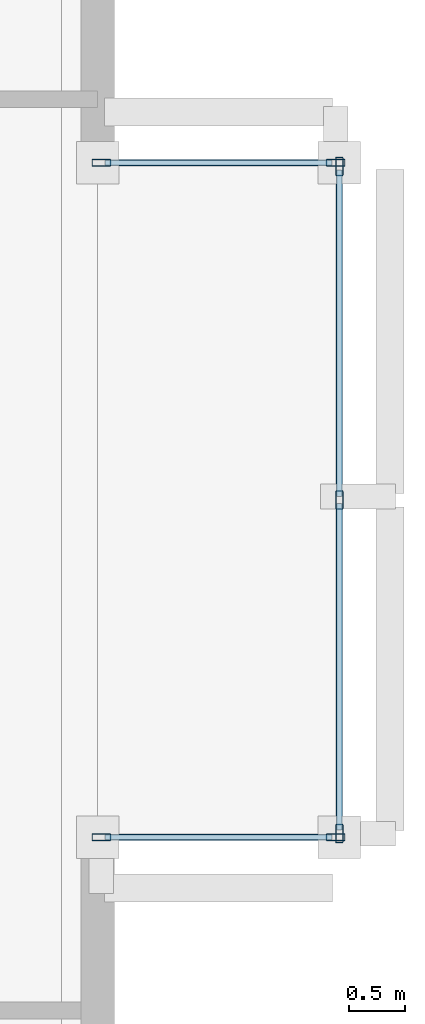
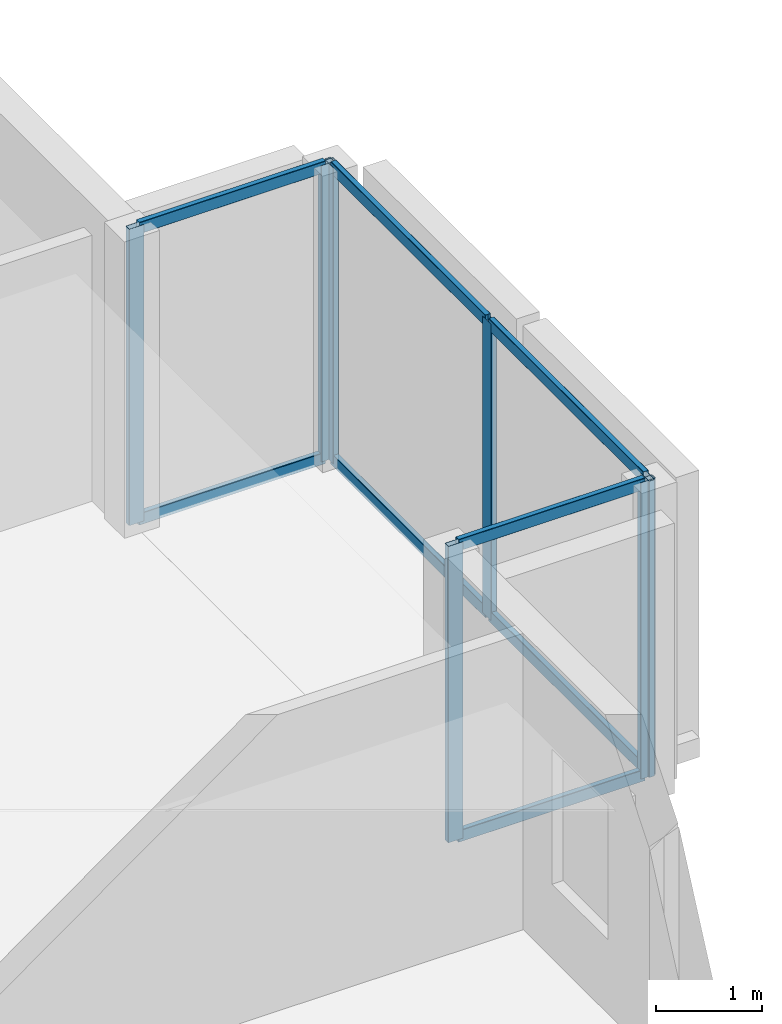
# One storey, part 4 of 13: 15 members, 3 elements without a shape of their own.
"""IFC4 building model written with IfcOpenShell, lengths in metres."""

from ifc_helpers import new_model, si_unit, direction, frame, origin, origin_2d, place, context, subcontext, project, spatial, hollow_rectangle, extrude, material, layer, layer_set, material_profile, profile_set, type_object, element, aggregate, save


model = new_model("IFC4")

# Units and contexts
model_context = context("Model", 3, precision=1e-05, world=origin(), true_north=direction((0.0, 1.0)))
body_context = subcontext(model_context, "Body", "Model", "MODEL_VIEW")
ifc_project = project(units=[si_unit("LENGTHUNIT", "METRE"), si_unit("AREAUNIT", "SQUARE_METRE"), si_unit("VOLUMEUNIT", "CUBIC_METRE"), si_unit("PLANEANGLEUNIT", "RADIAN"), si_unit("MASSUNIT", "GRAM", prefix="KILO")], contexts=[model_context])

# Site, building, storey
site_placement = place(None, origin())
site = spatial("IfcSite", under=ifc_project, at=site_placement, CompositionType="ELEMENT")
building_placement = place(site_placement, origin())
building = spatial("IfcBuilding", under=site, at=building_placement, Name="An Khanh Terracotta Commons", CompositionType="ELEMENT")
storey_placement = place(building_placement, frame((0.0, 0.0, 125.89990234375)))
storey = spatial("IfcBuildingStorey", under=building, at=storey_placement, Name="L33", CompositionType="ELEMENT", Elevation=125.89990234375)

# Curtain wall, members
ifc_material = material(Name="Anodised Aluminium 6063-T6", Category="aluminium")
ifc_layer = layer(ifc_material, 0.239990234375, Name="Anodised Aluminium 6063-T6")
ifc_layer_set = layer_set([ifc_layer], Name="Anodised Aluminium 6063-T6")
curtain_wall_type = type_object("IfcCurtainWallType", Name="CW-SYS-04", PredefinedType="USERDEFINED", material=ifc_layer_set)
curtain_wall_1_placement = place(storey_placement, origin())
curtain_wall_1 = element("IfcCurtainWall", 1, at=curtain_wall_1_placement, inside=storey, type_object=curtain_wall_type, Name="L33 CW-04 Unitised Curtain Wall CW-L33-EBOX-1", ObjectType="UNITISED CURTAIN WALL", PredefinedType="USERDEFINED")
ifc_material_profile_1 = material_profile(ifc_material, hollow_rectangle(XDim=0.06494140625, YDim=0.1650390625, WallThickness=0.00390625, InnerFilletRadius=0.00390625, OuterFilletRadius=0.008056640625, at=origin_2d()), Name="RHS165x65x4")
ifc_profile_set_1 = profile_set([ifc_material_profile_1], Name="Anodised Aluminium 6063-T6")
member_type_1 = type_object("IfcMemberType", Name="CWM-RHS165x65x4", PredefinedType="MULLION", material=ifc_profile_set_1)
member_1_placement = place(storey_placement, frame((59.550048828125, 19.4326171875, 0.0), z_axis=(0.0, 0.0, 1.0), x_axis=(-1.0, 0.0, 0.0)))
member_1 = element("IfcMember", 2, at=member_1_placement, type_object=member_type_1, Name="CW-04 mullion 1", PredefinedType="MULLION", context=body_context, shape_type="SweptSolid", body=[
    extrude(hollow_rectangle(XDim=0.06494140625, YDim=0.1650390625, WallThickness=0.00390625, InnerFilletRadius=0.00390625, OuterFilletRadius=0.008056640625, at=origin_2d()), origin(), (0.0, 0.0, 1.0), 3.400146484375),
])
member_2_placement = place(storey_placement, frame((59.550048828125, 22.39990234375, 0.0), z_axis=(0.0, 0.0, 1.0), x_axis=(-1.0, 0.0, 0.0)))
member_2 = element("IfcMember", 3, at=member_2_placement, type_object=member_type_1, Name="CW-04 mullion 2", PredefinedType="MULLION", context=body_context, shape_type="SweptSolid", body=[
    extrude(hollow_rectangle(XDim=0.06494140625, YDim=0.1650390625, WallThickness=0.00390625, InnerFilletRadius=0.00390625, OuterFilletRadius=0.008056640625, at=origin_2d()), origin(), (0.0, 0.0, 1.0), 3.400146484375),
])
member_3_placement = place(storey_placement, frame((59.550048828125, 25.367431640625, 0.0), z_axis=(0.0, 0.0, 1.0), x_axis=(-1.0, 0.0, 0.0)))
member_3 = element("IfcMember", 4, at=member_3_placement, type_object=member_type_1, Name="CW-04 mullion 3", PredefinedType="MULLION", context=body_context, shape_type="SweptSolid", body=[
    extrude(hollow_rectangle(XDim=0.06494140625, YDim=0.1650390625, WallThickness=0.00390625, InnerFilletRadius=0.00390625, OuterFilletRadius=0.008056640625, at=origin_2d()), origin(), (0.0, 0.0, 1.0), 3.400146484375),
])

curtain_wall_2_placement = place(storey_placement, origin())
curtain_wall_2 = element("IfcCurtainWall", 5, at=curtain_wall_2_placement, inside=storey, type_object=curtain_wall_type, Name="L33 CW-04 Unitised Curtain Wall CW-L33-EBOX-2", ObjectType="UNITISED CURTAIN WALL", PredefinedType="USERDEFINED")
member_4_placement = place(storey_placement, frame((57.4326171875, 19.39990234375, 0.0), z_axis=(0.0, 0.0, 1.0), x_axis=(0.0, 1.0, 0.0)))
member_4 = element("IfcMember", 6, at=member_4_placement, type_object=member_type_1, Name="CW-04 mullion 1", PredefinedType="MULLION", context=body_context, shape_type="SweptSolid", body=[
    extrude(hollow_rectangle(XDim=0.06494140625, YDim=0.1650390625, WallThickness=0.00390625, InnerFilletRadius=0.00390625, OuterFilletRadius=0.008056640625, at=origin_2d()), origin(), (0.0, 0.0, 1.0), 3.400146484375),
])
member_5_placement = place(storey_placement, frame((59.517578125, 19.39990234375, 0.0), z_axis=(0.0, 0.0, 1.0), x_axis=(0.0, 1.0, 0.0)))
member_5 = element("IfcMember", 7, at=member_5_placement, type_object=member_type_1, Name="CW-04 mullion 2", PredefinedType="MULLION", context=body_context, shape_type="SweptSolid", body=[
    extrude(hollow_rectangle(XDim=0.06494140625, YDim=0.1650390625, WallThickness=0.00390625, InnerFilletRadius=0.00390625, OuterFilletRadius=0.008056640625, at=origin_2d()), origin(), (0.0, 0.0, 1.0), 3.400146484375),
])

curtain_wall_3_placement = place(storey_placement, origin())
curtain_wall_3 = element("IfcCurtainWall", 8, at=curtain_wall_3_placement, inside=storey, type_object=curtain_wall_type, Name="L33 CW-04 Unitised Curtain Wall CW-L33-EBOX-3", ObjectType="UNITISED CURTAIN WALL", PredefinedType="USERDEFINED")
member_6_placement = place(storey_placement, frame((59.517578125, 25.39990234375, 0.0), z_axis=(0.0, 0.0, 1.0), x_axis=(0.0, -1.0, 0.0)))
member_6 = element("IfcMember", 9, at=member_6_placement, type_object=member_type_1, Name="CW-04 mullion 1", PredefinedType="MULLION", context=body_context, shape_type="SweptSolid", body=[
    extrude(hollow_rectangle(XDim=0.06494140625, YDim=0.1650390625, WallThickness=0.00390625, InnerFilletRadius=0.00390625, OuterFilletRadius=0.008056640625, at=origin_2d()), origin(), (0.0, 0.0, 1.0), 3.400146484375),
])
member_7_placement = place(storey_placement, frame((57.4326171875, 25.39990234375, 0.0), z_axis=(0.0, 0.0, 1.0), x_axis=(0.0, -1.0, 0.0)))
member_7 = element("IfcMember", 10, at=member_7_placement, type_object=member_type_1, Name="CW-04 mullion 2", PredefinedType="MULLION", context=body_context, shape_type="SweptSolid", body=[
    extrude(hollow_rectangle(XDim=0.06494140625, YDim=0.1650390625, WallThickness=0.00390625, InnerFilletRadius=0.00390625, OuterFilletRadius=0.008056640625, at=origin_2d()), origin(), (0.0, 0.0, 1.0), 3.400146484375),
])

# Member
ifc_material_profile_2 = material_profile(ifc_material, hollow_rectangle(XDim=0.06005859375, YDim=0.135009765625, WallThickness=0.003662109375, InnerFilletRadius=0.003662109375, OuterFilletRadius=0.007080078125, at=origin_2d()), Name="RHS135x60x3.6")
ifc_profile_set_2 = profile_set([ifc_material_profile_2], Name="Anodised Aluminium 6063-T6")
member_type_2 = type_object("IfcMemberType", Name="CWT-RHS135x60x3.6", PredefinedType="USERDEFINED", material=ifc_profile_set_2)
member_8_placement = place(storey_placement, frame((59.550048828125, 19.465087890625, 0.030029296875), z_axis=(0.0, 1.0, 0.0), x_axis=(-1.0, 0.0, 0.0)))
member_8 = element("IfcMember", 11, at=member_8_placement, type_object=member_type_2, Name="CW-04 transom 1.1", ObjectType="TRANSOM", PredefinedType="USERDEFINED", context=body_context, shape_type="SweptSolid", body=[
    extrude(hollow_rectangle(XDim=0.06005859375, YDim=0.135009765625, WallThickness=0.003662109375, InnerFilletRadius=0.003662109375, OuterFilletRadius=0.007080078125, at=origin_2d()), origin(), (0.0, 0.0, 1.0), 2.90234375),
])

member_9_placement = place(storey_placement, frame((59.550048828125, 19.465087890625, 3.3701171875), z_axis=(0.0, 1.0, 0.0), x_axis=(-1.0, 0.0, 0.0)))
member_9 = element("IfcMember", 12, at=member_9_placement, type_object=member_type_2, Name="CW-04 transom 1.2", ObjectType="TRANSOM", PredefinedType="USERDEFINED", context=body_context, shape_type="SweptSolid", body=[
    extrude(hollow_rectangle(XDim=0.06005859375, YDim=0.135009765625, WallThickness=0.003662109375, InnerFilletRadius=0.003662109375, OuterFilletRadius=0.007080078125, at=origin_2d()), origin(), (0.0, 0.0, 1.0), 2.90234375),
])

member_10_placement = place(storey_placement, frame((59.550048828125, 22.4326171875, 0.030029296875), z_axis=(0.0, 1.0, 0.0), x_axis=(-1.0, 0.0, 0.0)))
member_10 = element("IfcMember", 13, at=member_10_placement, type_object=member_type_2, Name="CW-04 transom 2.1", ObjectType="TRANSOM", PredefinedType="USERDEFINED", context=body_context, shape_type="SweptSolid", body=[
    extrude(hollow_rectangle(XDim=0.06005859375, YDim=0.135009765625, WallThickness=0.003662109375, InnerFilletRadius=0.003662109375, OuterFilletRadius=0.007080078125, at=origin_2d()), origin(), (0.0, 0.0, 1.0), 2.90234375),
])

member_11_placement = place(storey_placement, frame((59.550048828125, 22.4326171875, 3.3701171875), z_axis=(0.0, 1.0, 0.0), x_axis=(-1.0, 0.0, 0.0)))
member_11 = element("IfcMember", 14, at=member_11_placement, type_object=member_type_2, Name="CW-04 transom 2.2", ObjectType="TRANSOM", PredefinedType="USERDEFINED", context=body_context, shape_type="SweptSolid", body=[
    extrude(hollow_rectangle(XDim=0.06005859375, YDim=0.135009765625, WallThickness=0.003662109375, InnerFilletRadius=0.003662109375, OuterFilletRadius=0.007080078125, at=origin_2d()), origin(), (0.0, 0.0, 1.0), 2.90234375),
])

aggregate(curtain_wall_1, [member_1, member_2, member_3, member_8, member_9, member_10, member_11])

member_12_placement = place(storey_placement, frame((57.465087890625, 19.39990234375, 0.030029296875), z_axis=(1.0, 0.0, 0.0), x_axis=(0.0, 1.0, 0.0)))
member_12 = element("IfcMember", 15, at=member_12_placement, type_object=member_type_2, Name="CW-04 transom 1.1", ObjectType="TRANSOM", PredefinedType="USERDEFINED", context=body_context, shape_type="SweptSolid", body=[
    extrude(hollow_rectangle(XDim=0.06005859375, YDim=0.135009765625, WallThickness=0.003662109375, InnerFilletRadius=0.003662109375, OuterFilletRadius=0.007080078125, at=origin_2d()), origin(), (0.0, 0.0, 1.0), 2.02001953125),
])

member_13_placement = place(storey_placement, frame((57.465087890625, 19.39990234375, 3.3701171875), z_axis=(1.0, 0.0, 0.0), x_axis=(0.0, 1.0, 0.0)))
member_13 = element("IfcMember", 16, at=member_13_placement, type_object=member_type_2, Name="CW-04 transom 1.2", ObjectType="TRANSOM", PredefinedType="USERDEFINED", context=body_context, shape_type="SweptSolid", body=[
    extrude(hollow_rectangle(XDim=0.06005859375, YDim=0.135009765625, WallThickness=0.003662109375, InnerFilletRadius=0.003662109375, OuterFilletRadius=0.007080078125, at=origin_2d()), origin(), (0.0, 0.0, 1.0), 2.02001953125),
])

aggregate(curtain_wall_2, [member_4, member_5, member_12, member_13])

member_14_placement = place(storey_placement, frame((59.485107421875, 25.39990234375, 0.030029296875), z_axis=(-1.0, 0.0, 0.0), x_axis=(0.0, -1.0, 0.0)))
member_14 = element("IfcMember", 17, at=member_14_placement, type_object=member_type_2, Name="CW-04 transom 1.1", ObjectType="TRANSOM", PredefinedType="USERDEFINED", context=body_context, shape_type="SweptSolid", body=[
    extrude(hollow_rectangle(XDim=0.06005859375, YDim=0.135009765625, WallThickness=0.003662109375, InnerFilletRadius=0.003662109375, OuterFilletRadius=0.007080078125, at=origin_2d()), origin(), (0.0, 0.0, 1.0), 2.02001953125),
])

member_15_placement = place(storey_placement, frame((59.485107421875, 25.39990234375, 3.3701171875), z_axis=(-1.0, 0.0, 0.0), x_axis=(0.0, -1.0, 0.0)))
member_15 = element("IfcMember", 18, at=member_15_placement, type_object=member_type_2, Name="CW-04 transom 1.2", ObjectType="TRANSOM", PredefinedType="USERDEFINED", context=body_context, shape_type="SweptSolid", body=[
    extrude(hollow_rectangle(XDim=0.06005859375, YDim=0.135009765625, WallThickness=0.003662109375, InnerFilletRadius=0.003662109375, OuterFilletRadius=0.007080078125, at=origin_2d()), origin(), (0.0, 0.0, 1.0), 2.02001953125),
])

aggregate(curtain_wall_3, [member_6, member_7, member_14, member_15])

save(model, "model.ifc")
